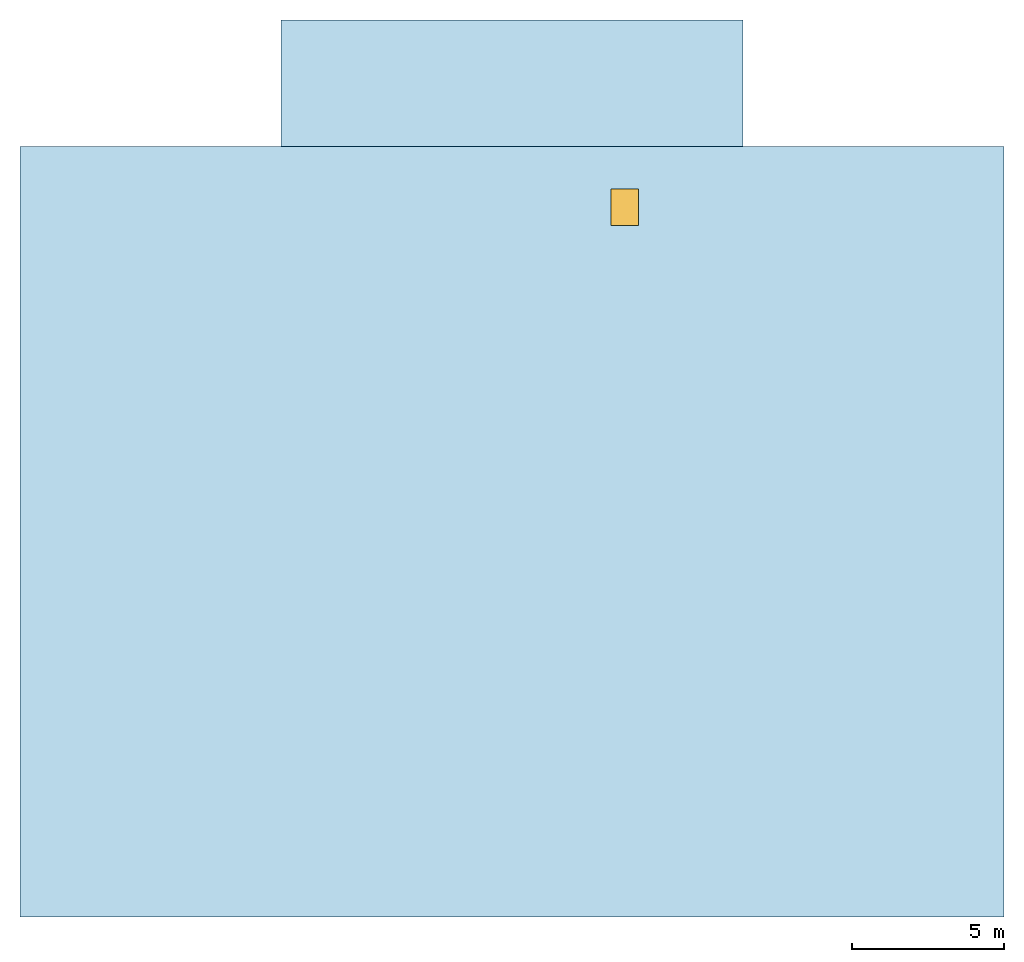
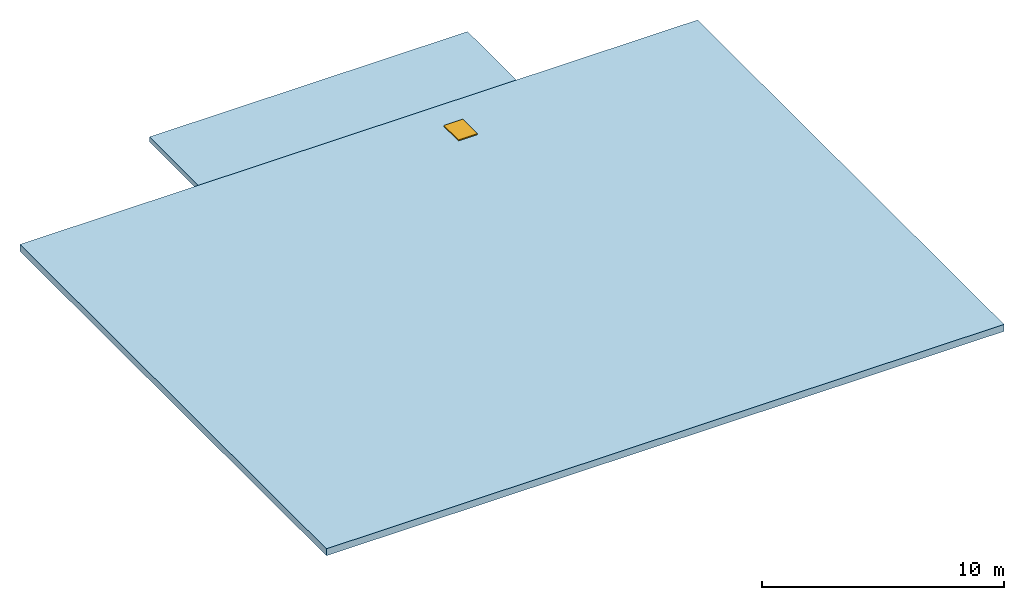
"""IFC4 building model written with IfcOpenShell, lengths in metres."""

import ifcopenshell
import ifcopenshell.guid

model = None  # the IFC model being written
_history = None  # IfcOwnerHistory: only IFC2X3 demands one
_inside = {}  # id of a spatial element -> (the spatial element, [elements in it])
_under = {}  # id of a project, library or spatial element -> (it, [spatial elements below it])
_declared = {}  # id of a project -> (the project, [libraries it declares])
_typed = {}  # id of a type object -> (the type object, [elements of that type])
_made_of = {}  # id of a material, layer set ... -> (it, [elements and type objects made of it])


def new_model(schema):
    """Start an empty IFC model of exactly this schema.

    Asked for "IFC4X3", IfcOpenShell would pick the latest addendum, in which some entities
    have other attributes; the version numbers below select the first issue.
    IFC2X3 requires an IfcOwnerHistory on every rooted entity: one is made here for all.
    """
    global model, _history
    if schema == "IFC4X3":
        model = ifcopenshell.file(schema_version=(4, 3, 0, 0))
    else:
        model = ifcopenshell.file(schema=schema)
    _inside.clear()
    _under.clear()
    _declared.clear()
    _typed.clear()
    _made_of.clear()
    _history = None
    if model.schema == "IFC2X3":
        org = make("IfcOrganization", Name="unknown")
        user = make(
            "IfcPersonAndOrganization",
            ThePerson=make("IfcPerson", FamilyName="unknown"),
            TheOrganization=org,
        )
        app = make(
            "IfcApplication",
            ApplicationDeveloper=org,
            Version="unknown",
            ApplicationFullName="unknown",
            ApplicationIdentifier="unknown",
        )
        _history = make(
            "IfcOwnerHistory",
            OwningUser=user,
            OwningApplication=app,
            ChangeAction="ADDED",
            CreationDate=0,
        )
    return model


def make(cls, **values):
    """One entity of the class cls with the attributes given. An attribute that is None is left unset."""
    return model.create_entity(
        cls, **{name: value for name, value in values.items() if value is not None}
    )


def rooted(cls, **values):
    """An entity with a GlobalId (a new one), such as an element, a storey or a relation."""
    return make(cls, GlobalId=ifcopenshell.guid.new(), OwnerHistory=_history, **values)


def si_unit(unit_type, name, prefix=None):
    """IfcSIUnit, for example si_unit("LENGTHUNIT", "METRE", prefix="MILLI")."""
    return make("IfcSIUnit", UnitType=unit_type, Prefix=prefix, Name=name)


def assignment(units):
    """IfcUnitAssignment: the units of a project."""
    return None if units is None else make("IfcUnitAssignment", Units=units)


def point(xyz):
    """IfcCartesianPoint."""
    return None if xyz is None else make("IfcCartesianPoint", Coordinates=xyz)


def direction(xyz):
    """IfcDirection."""
    return None if xyz is None else make("IfcDirection", DirectionRatios=xyz)


def frame(location, z_axis=None, x_axis=None):
    """IfcAxis2Placement3D, a coordinate frame: its origin and axes. An axis left out is left unset."""
    return make(
        "IfcAxis2Placement3D",
        Location=point(location),
        Axis=direction(z_axis),
        RefDirection=direction(x_axis),
    )


def frame_2d(location, x_axis=None):
    """IfcAxis2Placement2D, a coordinate frame in the plane: its origin and x axis."""
    return make(
        "IfcAxis2Placement2D", Location=point(location), RefDirection=direction(x_axis)
    )


def origin():
    """The frame at (0, 0, 0) with its axes left unset."""
    return frame((0.0, 0.0, 0.0))


def origin_2d():
    """The frame at (0, 0) in the plane with its x axis left unset."""
    return frame_2d((0.0, 0.0))


def place(relative_to, where):
    """IfcLocalPlacement: puts the frame where relative to a parent placement (None: the world)."""
    return make(
        "IfcLocalPlacement", PlacementRelTo=relative_to, RelativePlacement=where
    )


def context(
    kind, dimensions, precision=None, world=None, true_north=None, identifier=None
):
    """IfcGeometricRepresentationContext, for example the 3D "Model" context."""
    return make(
        "IfcGeometricRepresentationContext",
        ContextIdentifier=identifier,
        ContextType=kind,
        CoordinateSpaceDimension=dimensions,
        Precision=precision,
        WorldCoordinateSystem=world,
        TrueNorth=true_north,
    )


def subcontext(parent, identifier, kind, view, scale=None):
    """IfcGeometricRepresentationSubContext, for example "Body" below "Model"."""
    return make(
        "IfcGeometricRepresentationSubContext",
        ContextIdentifier=identifier,
        ContextType=kind,
        ParentContext=parent,
        TargetScale=scale,
        TargetView=view,
    )


def project(units=None, contexts=None):
    """IfcProject with its units and contexts."""
    return rooted(
        "IfcProject",
        Name="project",
        RepresentationContexts=contexts,
        UnitsInContext=assignment(units),
    )


def spatial(cls, under=None, at=None, **own):
    """A site, building, storey or space (cls), placed at a placement, below another one or the project."""
    s = rooted(cls, ObjectPlacement=at, **own)
    if under is not None:
        _under.setdefault(under.id(), (under, []))[1].append(s)
    return s


def polyline(points):
    """IfcPolyline through the points."""
    return make("IfcPolyline", Points=[point(p) for p in points])


def profile(cls, at=None, kind="AREA", **sizes):
    """A parametric profile (cls). Its sizes go by their IFC names, for example OverallWidth=200.0."""
    return make(cls, ProfileType=kind, Position=at, **sizes)


def rectangle(**sizes):
    """IfcRectangleProfileDef."""
    return profile("IfcRectangleProfileDef", **sizes)


def outline(outer, holes=None, kind="AREA"):
    """IfcArbitraryClosedProfileDef: a profile drawn as a closed curve; with holes, ...WithVoids."""
    if holes is None:
        return make("IfcArbitraryClosedProfileDef", ProfileType=kind, OuterCurve=outer)
    return make(
        "IfcArbitraryProfileDefWithVoids",
        ProfileType=kind,
        OuterCurve=outer,
        InnerCurves=holes,
    )


def extrude(swept, where, along, depth):
    """IfcExtrudedAreaSolid: the profile swept, set in the frame where, extruded along a direction by depth."""
    return make(
        "IfcExtrudedAreaSolid",
        SweptArea=swept,
        Position=where,
        ExtrudedDirection=direction(along),
        Depth=depth,
    )


def shape(context_of_items, identifier, shape_type, items):
    """IfcShapeRepresentation: the items that make up one representation, for example the "Body"."""
    return make(
        "IfcShapeRepresentation",
        ContextOfItems=context_of_items,
        RepresentationIdentifier=identifier,
        RepresentationType=shape_type,
        Items=items,
    )


def material(Name=None, Category=None):
    """IfcMaterial."""
    return make("IfcMaterial", Name=Name, Category=Category)


def layer(
    of_material, thickness, ventilated=None, Name=None, Category=None, Priority=None
):
    """IfcMaterialLayer: one layer of a wall or slab, of a material (None: an air gap)."""
    return make(
        "IfcMaterialLayer",
        Material=of_material,
        LayerThickness=thickness,
        IsVentilated=ventilated,
        Name=Name,
        Category=Category,
        Priority=Priority,
    )


def layer_set(layers, Name=None):
    """IfcMaterialLayerSet."""
    return make("IfcMaterialLayerSet", MaterialLayers=layers, LayerSetName=Name)


def made_of(thing, what):
    """Note that an element or type object is made of a material, layer set ...; save() writes the relation."""
    if what is not None:
        _made_of.setdefault(what.id(), (what, []))[1].append(thing)
    return thing


def type_object(cls, material=None, **own):
    """A type object (cls), such as IfcWallType, which elements share."""
    return made_of(rooted(cls, **own), material)


def element(
    cls,
    number,
    at=None,
    inside=None,
    cuts=None,
    type_object=None,
    material=None,
    context=None,
    identifier="Body",
    shape_type=None,
    held_by="IfcProductDefinitionShape",
    body=None,
    shapes=None,
    **own,
):
    """One element of the class cls, such as IfcWall. Its Tag is "e" and its number.

    at: its placement. inside: the storey or other place that contains it. cuts: it is an
    opening in that element (IfcRelVoidsElement). A single representation is given by context,
    identifier, shape_type and body (its items); several are given by shapes. held_by: the class
    of the entity that holds the representations. save() writes the other relations.
    """
    e = rooted(cls, Tag="e%d" % number, ObjectPlacement=at, **own)
    if body is not None:
        shapes = [shape(context, identifier, shape_type, body)]
    if shapes is not None:
        e.Representation = make(held_by, Representations=shapes)
    if inside is not None:
        _inside.setdefault(inside.id(), (inside, []))[1].append(e)
    if cuts is not None:
        rooted(
            "IfcRelVoidsElement", RelatingBuildingElement=cuts, RelatedOpeningElement=e
        )
    if type_object is not None:
        _typed.setdefault(type_object.id(), (type_object, []))[1].append(e)
    return made_of(e, material)


def fill(opening, filler):
    """IfcRelFillsElement: the door or window that sits in an opening."""
    return rooted(
        "IfcRelFillsElement",
        RelatingOpeningElement=opening,
        RelatedBuildingElement=filler,
    )


def aggregate(whole, parts):
    """IfcRelAggregates: a whole, such as a stair, and the parts it consists of."""
    return rooted("IfcRelAggregates", RelatingObject=whole, RelatedObjects=parts)


def save(model, path):
    """Write the relations noted so far, then the file.

    IfcRelAggregates (storeys below a building ...), IfcRelContainedInSpatialStructure (elements
    in a storey), IfcRelDefinesByType, IfcRelAssociatesMaterial and IfcRelDeclares: one each for
    every whole, place, type object, material and project.
    """
    for whole, parts in _under.values():
        aggregate(whole, parts)
    for where, things in _inside.values():
        rooted(
            "IfcRelContainedInSpatialStructure",
            RelatedElements=things,
            RelatingStructure=where,
        )
    for kind, things in _typed.values():
        rooted("IfcRelDefinesByType", RelatedObjects=things, RelatingType=kind)
    for what, things in _made_of.values():
        rooted("IfcRelAssociatesMaterial", RelatedObjects=things, RelatingMaterial=what)
    for by, libraries in _declared.values():
        rooted("IfcRelDeclares", RelatingContext=by, RelatedDefinitions=libraries)
    model.write(path)


model = new_model("IFC4")

# Units and contexts
model_context = context("Model", 3, precision=1e-05, world=origin(), true_north=direction((0.0, 1.0)))
body_context = subcontext(model_context, "Body", "Model", "MODEL_VIEW")
ifc_project = project(units=[si_unit("LENGTHUNIT", "METRE"), si_unit("AREAUNIT", "SQUARE_METRE"), si_unit("VOLUMEUNIT", "CUBIC_METRE"), si_unit("PLANEANGLEUNIT", "RADIAN"), si_unit("MASSUNIT", "GRAM", prefix="KILO")], contexts=[model_context])

# Site, building, storey
site_placement = place(None, origin())
site = spatial("IfcSite", under=ifc_project, at=site_placement, CompositionType="ELEMENT")
building_placement = place(site_placement, origin())
building = spatial("IfcBuilding", under=site, at=building_placement, Name="Khuree Lantern Residences", CompositionType="ELEMENT")
storey_1_placement = place(building_placement, frame((0.0, 0.0, 367.75)))
storey_1 = spatial("IfcBuildingStorey", under=building, at=storey_1_placement, Name="ROOF", CompositionType="ELEMENT", Elevation=367.75)

# Slab
ifc_material_1 = material(Name="Concrete C40/50", Category="concrete")
ifc_layer_1 = layer(ifc_material_1, 0.25)
ifc_layer_set_1 = layer_set([ifc_layer_1], Name="ROOF PLANT ROOM ROOF RPR250")
slab_type_1 = type_object("IfcSlabType", Name="ROOF PLANT ROOM ROOF RPR250", PredefinedType="ROOF", material=ifc_layer_set_1)
slab_1_placement = place(storey_1_placement, origin())
element("IfcSlab", 1, at=slab_1_placement, inside=storey_1, type_object=slab_type_1, Name="Tower roof plant room roof", PredefinedType="ROOF", context=body_context, shape_type="SweptSolid", body=[
    extrude(outline(polyline([(-7.580078125, 12.64990234375), (7.580078125, 12.64990234375), (7.580078125, 16.800048828125), (-7.580078125, 16.800048828125), (-7.580078125, 12.64990234375)])), origin(), (0.0, 0.0, 1.0), 0.25),
])

# Slab, opening
ifc_material_2 = material(Name="Concrete C35/45", Category="concrete")
ifc_layer_2 = layer(ifc_material_2, 0.35009765625)
ifc_layer_set_2 = layer_set([ifc_layer_2], Name="RS350 ROOF SLAB 350")
slab_type_2 = type_object("IfcSlabType", Name="RS350 ROOF SLAB 350", PredefinedType="ROOF", material=ifc_layer_set_2)
slab_2_placement = place(storey_1_placement, origin())
slab_2 = element("IfcSlab", 2, at=slab_2_placement, inside=storey_1, type_object=slab_type_2, Name="Core roof", PredefinedType="ROOF", context=body_context, shape_type="SweptSolid", body=[
    extrude(outline(polyline([(16.14990234375, -12.64990234375), (-16.14990234375, -12.64990234375), (-16.14990234375, 12.64990234375), (16.14990234375, 12.64990234375), (16.14990234375, -12.64990234375)])), origin(), (0.0, 0.0, 1.0), 0.35009765625),
])
opening_placement = place(slab_2_placement, frame((3.699951171875, 10.64990234375, 0.0)))
opening = element("IfcOpeningElement", 3, at=opening_placement, cuts=slab_2, Name="Opening RH-5", PredefinedType="OPENING", context=body_context, shape_type="SweptSolid", body=[
    extrude(rectangle(XDim=0.89990234375, YDim=1.199951171875, at=origin_2d()), origin(), (0.0, 0.0, 1.0), 0.400146484375),
])

# Storey
storey_2_placement = place(building_placement, frame((0.0, 0.0, 363.25)))
storey_2 = spatial("IfcBuildingStorey", under=building, at=storey_2_placement, Name="RF", CompositionType="ELEMENT", Elevation=363.25)

# Door
ifc_material_3 = material(Name="Insulated aluminium roof hatch", Category="aluminium")
door_type = type_object("IfcDoorType", Name="ROOF ACCESS HATCH RH1 900X1200", OperationType="SINGLE_SWING_LEFT", PredefinedType="TRAPDOOR", material=ifc_material_3)
door_placement = place(opening_placement, frame((0.0, 0.0, 0.35009765625)))
door = element("IfcDoor", 4, at=door_placement, inside=storey_2, type_object=door_type, Name="ROOF ACCESS ROOM ACCESS HATCH", OperationType="SINGLE_SWING_LEFT", OverallHeight=1.199951171875, OverallWidth=0.89990234375, PredefinedType="TRAPDOOR", context=body_context, shape_type="SweptSolid", body=[
    extrude(rectangle(XDim=0.89990234375, YDim=1.199951171875, at=origin_2d()), origin(), (0.0, 0.0, 1.0), 0.050048828125),
])

fill(opening, door)

save(model, "model.ifc")
